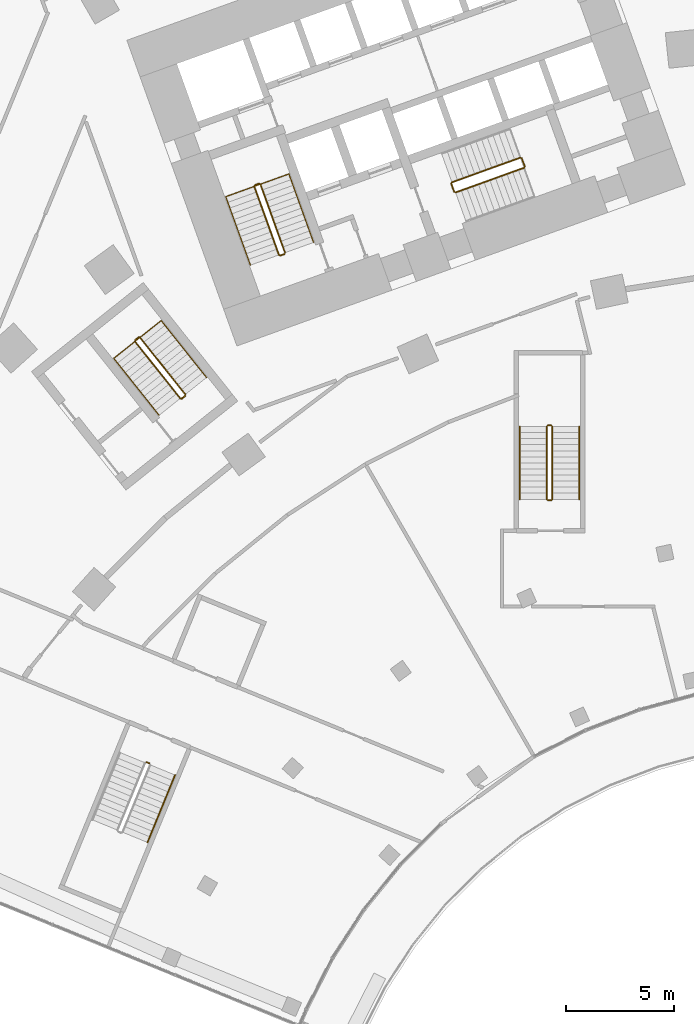
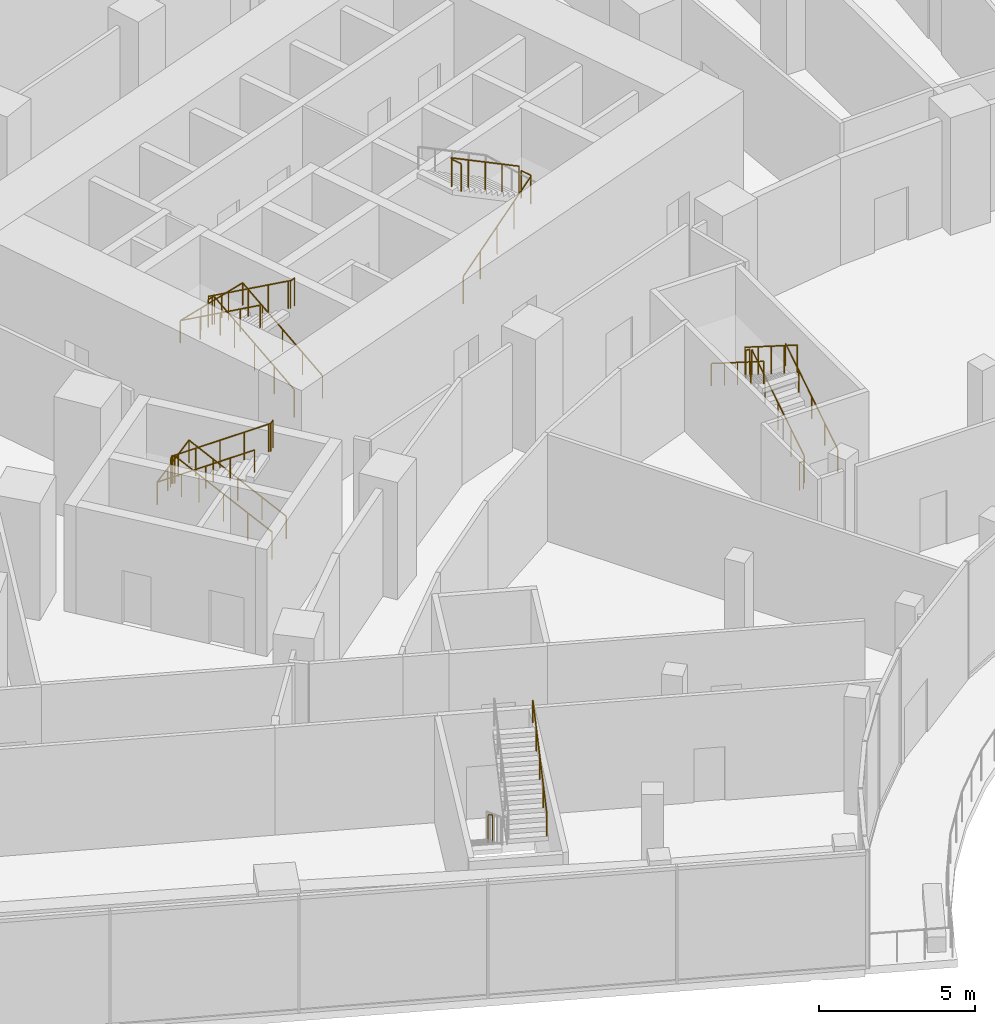
# One storey, part 33 of 39: 16 railings.
"""IFC4 building model written with IfcOpenShell, lengths in metres."""

from ifc_helpers import new_model, si_unit, direction, frame, origin, origin_2d, place, context, subcontext, project, spatial, circle, extrude, material, type_object, element, save


model = new_model("IFC4")

# Units and contexts
model_context = context("Model", 3, precision=1e-05, world=origin(), true_north=direction((0.0, 1.0)))
body_context = subcontext(model_context, "Body", "Model", "MODEL_VIEW")
ifc_project = project(units=[si_unit("LENGTHUNIT", "METRE"), si_unit("AREAUNIT", "SQUARE_METRE"), si_unit("VOLUMEUNIT", "CUBIC_METRE"), si_unit("PLANEANGLEUNIT", "RADIAN"), si_unit("MASSUNIT", "GRAM", prefix="KILO")], contexts=[model_context])

# Site, building, storey
site_placement = place(None, origin())
site = spatial("IfcSite", under=ifc_project, at=site_placement, CompositionType="ELEMENT")
building_placement = place(site_placement, origin())
building = spatial("IfcBuilding", under=site, at=building_placement, Name="Stone Belt Terrace Tower", CompositionType="ELEMENT")
storey_placement = place(building_placement, frame((0.0, 0.0, 16.199951171875)))
storey = spatial("IfcBuildingStorey", under=building, at=storey_placement, Name="L03", CompositionType="ELEMENT", Elevation=16.199951171875)

# Railings
ifc_material_1 = material(Name="Steel balustrade", Category="steel")
railing_type_1 = type_object("IfcRailingType", Name="Podium stair guard", PredefinedType="GUARDRAIL", material=ifc_material_1)
railing_1_placement = place(storey_placement, frame((-30.611572265625, 21.75439453125, 0.0)))
element("IfcRailing", 1, at=railing_1_placement, inside=storey, type_object=railing_type_1, Name="L03 PS1 stair guard 4", PredefinedType="GUARDRAIL", context=body_context, shape_type="SweptSolid", body=[
    extrude(circle(Radius=0.02392578125, at=origin_2d()), frame((0.0, 0.0, 1.076171875), z_axis=(0.925183283695, -0.379520607572, 0.0), x_axis=(0.379520607572, 0.925183283695, 0.0)), (0.0, 0.0, 1.0), 0.14990234375),
    extrude(circle(Radius=0.02099609375, at=origin_2d()), origin(), (0.0, 0.0, 1.0), 1.052001953125),
    extrude(circle(Radius=0.02099609375, at=origin_2d()), frame((0.138671875, -0.056884765625, 0.0)), (0.0, 0.0, 1.0), 1.052001953125),
])
railing_2_placement = place(storey_placement, frame((-11.875, 33.889892578125, 0.177001953125)))
element("IfcRailing", 2, at=railing_2_placement, inside=storey, type_object=railing_type_1, Name="L03 PS5 stair guard 1", PredefinedType="GUARDRAIL", context=body_context, shape_type="SweptSolid", body=[
    extrude(circle(Radius=0.02392578125, at=origin_2d()), frame((0.0, 0.0, 1.076171875), z_axis=(0.0, 0.845389635667, 0.534150132366), x_axis=(-1.0, 0.0, 0.0)), (0.0, 0.0, 1.0), 3.974609375),
    extrude(circle(Radius=0.02099609375, at=origin_2d()), origin(), (0.0, 0.0, 1.0), 1.052001953125),
    extrude(circle(Radius=0.02099609375, at=origin_2d()), frame((0.0, 0.840087890625, 0.53076171875)), (0.0, 0.0, 1.0), 1.052001953125),
    extrude(circle(Radius=0.02099609375, at=origin_2d()), frame((0.0, 1.68017578125, 1.0615234375)), (0.0, 0.0, 1.0), 1.052001953125),
    extrude(circle(Radius=0.02099609375, at=origin_2d()), frame((0.0, 2.52001953125, 1.59228515625)), (0.0, 0.0, 1.0), 1.052001953125),
    extrude(circle(Radius=0.02099609375, at=origin_2d()), frame((0.0, 3.360107421875, 2.123046875)), (0.0, 0.0, 1.0), 1.052001953125),
])
railing_3_placement = place(storey_placement, frame((-11.925048828125, 37.300048828125, 2.300048828125)))
element("IfcRailing", 3, at=railing_3_placement, inside=storey, type_object=railing_type_1, Name="L03 PS5 stair guard 2", PredefinedType="GUARDRAIL", context=body_context, shape_type="SweptSolid", body=[
    extrude(circle(Radius=0.02392578125, at=origin_2d()), frame((0.0, 0.0, 1.076171875), z_axis=(-1.0, 0.0, 0.0), x_axis=(0.0, -1.0, 0.0)), (0.0, 0.0, 1.0), 0.14990234375),
    extrude(circle(Radius=0.02099609375, at=origin_2d()), origin(), (0.0, 0.0, 1.0), 1.052001953125),
    extrude(circle(Radius=0.02099609375, at=origin_2d()), frame((-0.14990234375, 0.0, 0.0)), (0.0, 0.0, 1.0), 1.052001953125),
])
railing_4_placement = place(storey_placement, frame((-12.125, 37.25, 2.47705078125)))
element("IfcRailing", 4, at=railing_4_placement, inside=storey, type_object=railing_type_1, Name="L03 PS5 stair guard 3", PredefinedType="GUARDRAIL", context=body_context, shape_type="SweptSolid", body=[
    extrude(circle(Radius=0.02392578125, at=origin_2d()), frame((0.0, 0.0, 1.076171875), z_axis=(0.0, -0.845389635667, 0.534150132366), x_axis=(1.0, 0.0, 0.0)), (0.0, 0.0, 1.0), 3.974609375),
    extrude(circle(Radius=0.02099609375, at=origin_2d()), origin(), (0.0, 0.0, 1.0), 1.052001953125),
    extrude(circle(Radius=0.02099609375, at=origin_2d()), frame((0.0, -0.840087890625, 0.53076171875)), (0.0, 0.0, 1.0), 1.052001953125),
    extrude(circle(Radius=0.02099609375, at=origin_2d()), frame((0.0, -1.68017578125, 1.0615234375)), (0.0, 0.0, 1.0), 1.052001953125),
    extrude(circle(Radius=0.02099609375, at=origin_2d()), frame((0.0, -2.52001953125, 1.59228515625)), (0.0, 0.0, 1.0), 1.052001953125),
    extrude(circle(Radius=0.02099609375, at=origin_2d()), frame((0.0, -3.360107421875, 2.123046875)), (0.0, 0.0, 1.0), 1.052001953125),
])
railing_5_placement = place(storey_placement, frame((-11.925048828125, 33.840087890625, 0.0)))
element("IfcRailing", 5, at=railing_5_placement, inside=storey, type_object=railing_type_1, Name="L03 PS5 stair guard 4", PredefinedType="GUARDRAIL", context=body_context, shape_type="SweptSolid", body=[
    extrude(circle(Radius=0.02392578125, at=origin_2d()), frame((0.0, 0.0, 1.076171875), z_axis=(-1.0, 0.0, 0.0), x_axis=(0.0, -1.0, 0.0)), (0.0, 0.0, 1.0), 0.14990234375),
    extrude(circle(Radius=0.02099609375, at=origin_2d()), origin(), (0.0, 0.0, 1.0), 1.052001953125),
    extrude(circle(Radius=0.02099609375, at=origin_2d()), frame((-0.14990234375, 0.0, 0.0)), (0.0, 0.0, 1.0), 1.052001953125),
])
ifc_material_2 = material(Name="Stainless steel handrail", Category="steel")
railing_type_2 = type_object("IfcRailingType", Name="Podium stair handrail", PredefinedType="HANDRAIL", material=ifc_material_2)
railing_6_placement = place(storey_placement, frame((-30.563232421875, 18.049072265625, 2.47705078125)))
element("IfcRailing", 6, at=railing_6_placement, inside=storey, type_object=railing_type_2, Name="L03 PS1 stair handrail 2", PredefinedType="HANDRAIL", context=body_context, shape_type="SweptSolid", body=[
    extrude(circle(Radius=0.02392578125, at=origin_2d()), frame((0.0, 0.0, 0.8759765625), z_axis=(0.320632384185, 0.78223245452, 0.534141611661), x_axis=(-0.925286329636, 0.379269308261, 0.0)), (0.0, 0.0, 1.0), 3.974609375),
    extrude(circle(Radius=0.02099609375, at=origin_2d()), origin(), (0.0, 0.0, 1.0), 0.851806640625),
    extrude(circle(Radius=0.02099609375, at=origin_2d()), frame((0.318603515625, 0.77734375, 0.53076171875)), (0.0, 0.0, 1.0), 0.851806640625),
    extrude(circle(Radius=0.02099609375, at=origin_2d()), frame((0.63720703125, 1.5546875, 1.0615234375)), (0.0, 0.0, 1.0), 0.851806640625),
    extrude(circle(Radius=0.02099609375, at=origin_2d()), frame((0.955810546875, 2.331787109375, 1.59228515625)), (0.0, 0.0, 1.0), 0.851806640625),
    extrude(circle(Radius=0.02099609375, at=origin_2d()), frame((1.2744140625, 3.109130859375, 2.123046875)), (0.0, 0.0, 1.0), 0.851806640625),
])
railing_7_placement = place(storey_placement, frame((-10.625, 33.889892578125, 0.177001953125)))
element("IfcRailing", 7, at=railing_7_placement, inside=storey, type_object=railing_type_2, Name="L03 PS5 stair handrail 1", PredefinedType="HANDRAIL", context=body_context, shape_type="SweptSolid", body=[
    extrude(circle(Radius=0.02392578125, at=origin_2d()), frame((0.0, 0.0, 0.8759765625), z_axis=(0.0, 0.845389635667, 0.534150132366), x_axis=(-1.0, 0.0, 0.0)), (0.0, 0.0, 1.0), 3.974609375),
    extrude(circle(Radius=0.02099609375, at=origin_2d()), origin(), (0.0, 0.0, 1.0), 0.851806640625),
    extrude(circle(Radius=0.02099609375, at=origin_2d()), frame((0.0, 0.840087890625, 0.53076171875)), (0.0, 0.0, 1.0), 0.851806640625),
    extrude(circle(Radius=0.02099609375, at=origin_2d()), frame((0.0, 1.68017578125, 1.0615234375)), (0.0, 0.0, 1.0), 0.851806640625),
    extrude(circle(Radius=0.02099609375, at=origin_2d()), frame((0.0, 2.52001953125, 1.59228515625)), (0.0, 0.0, 1.0), 0.851806640625),
    extrude(circle(Radius=0.02099609375, at=origin_2d()), frame((0.0, 3.360107421875, 2.123046875)), (0.0, 0.0, 1.0), 0.851806640625),
])
railing_8_placement = place(storey_placement, frame((-13.375, 37.25, 2.47705078125)))
element("IfcRailing", 8, at=railing_8_placement, inside=storey, type_object=railing_type_2, Name="L03 PS5 stair handrail 2", PredefinedType="HANDRAIL", context=body_context, shape_type="SweptSolid", body=[
    extrude(circle(Radius=0.02392578125, at=origin_2d()), frame((0.0, 0.0, 0.8759765625), z_axis=(0.0, -0.845389635667, 0.534150132366), x_axis=(1.0, 0.0, 0.0)), (0.0, 0.0, 1.0), 3.974609375),
    extrude(circle(Radius=0.02099609375, at=origin_2d()), origin(), (0.0, 0.0, 1.0), 0.851806640625),
    extrude(circle(Radius=0.02099609375, at=origin_2d()), frame((0.0, -0.840087890625, 0.53076171875)), (0.0, 0.0, 1.0), 0.851806640625),
    extrude(circle(Radius=0.02099609375, at=origin_2d()), frame((0.0, -1.68017578125, 1.0615234375)), (0.0, 0.0, 1.0), 0.851806640625),
    extrude(circle(Radius=0.02099609375, at=origin_2d()), frame((0.0, -2.52001953125, 1.59228515625)), (0.0, 0.0, 1.0), 0.851806640625),
    extrude(circle(Radius=0.02099609375, at=origin_2d()), frame((0.0, -3.360107421875, 2.123046875)), (0.0, 0.0, 1.0), 0.851806640625),
])
ifc_material_3 = material(Name="Structural steel C345", Category="steel")
railing_type_3 = type_object("IfcRailingType", Name="Stair guard 1100", PredefinedType="GUARDRAIL", material=ifc_material_3)
railing_9_placement = place(storey_placement, frame((-24.2119140625, 45.276123046875, 0.177001953125)))
element("IfcRailing", 9, at=railing_9_placement, inside=storey, type_object=railing_type_3, Name="L03 ST1A stair guard 1", PredefinedType="GUARDRAIL", context=body_context, shape_type="SweptSolid", body=[
    extrude(circle(Radius=0.02392578125, at=origin_2d()), frame((0.0, 0.0, 1.076171875), z_axis=(-0.286311103083, 0.795417823175, 0.534168923494), x_axis=(-0.940902231577, -0.338678299589, 0.0)), (0.0, 0.0, 1.0), 3.974365234375),
    extrude(circle(Radius=0.02392578125, at=origin_2d()), frame((-1.137939453125, 3.161376953125, 3.19921875), z_axis=(-0.903878284585, 0.427789722475, 0.0), x_axis=(-0.427789722475, -0.903878284585, 0.0)), (0.0, 0.0, 1.0), 0.07080078125),
    extrude(circle(Radius=0.02392578125, at=origin_2d()), frame((-1.201904296875, 3.191650390625, 3.19921875), z_axis=(-0.940575576748, -0.339584429008, 0.0), x_axis=(0.339584429008, -0.940575576748, 0.0)), (0.0, 0.0, 1.0), 0.199951171875),
    extrude(circle(Radius=0.02099609375, at=origin_2d()), origin(), (0.0, 0.0, 1.0), 1.052001953125),
    extrude(circle(Radius=0.02099609375, at=origin_2d()), frame((-0.284423828125, 0.790283203125, 0.53076171875)), (0.0, 0.0, 1.0), 1.052001953125),
    extrude(circle(Radius=0.02099609375, at=origin_2d()), frame((-0.56884765625, 1.58056640625, 1.0615234375)), (0.0, 0.0, 1.0), 1.052001953125),
    extrude(circle(Radius=0.02099609375, at=origin_2d()), frame((-0.853515625, 2.37109375, 1.59228515625)), (0.0, 0.0, 1.0), 1.052001953125),
    extrude(circle(Radius=0.02099609375, at=origin_2d()), frame((-1.137939453125, 3.161376953125, 2.123046875)), (0.0, 0.0, 1.0), 1.052001953125),
    extrude(circle(Radius=0.02099609375, at=origin_2d()), frame((-1.201904296875, 3.191650390625, 2.123046875)), (0.0, 0.0, 1.0), 1.052001953125),
    extrude(circle(Radius=0.02099609375, at=origin_2d()), frame((-1.389892578125, 3.123779296875, 2.123046875)), (0.0, 0.0, 1.0), 1.052001953125),
])
railing_10_placement = place(storey_placement, frame((-25.632080078125, 48.3359375, 2.47705078125)))
element("IfcRailing", 10, at=railing_10_placement, inside=storey, type_object=railing_type_3, Name="L03 ST1A stair guard 2", PredefinedType="GUARDRAIL", context=body_context, shape_type="SweptSolid", body=[
    extrude(circle(Radius=0.02392578125, at=origin_2d()), frame((0.0, 0.0, 1.076171875), z_axis=(0.286311103083, -0.795417823175, 0.534168923494), x_axis=(0.940902231577, 0.338678299589, 0.0)), (0.0, 0.0, 1.0), 3.974365234375),
    extrude(circle(Radius=0.02392578125, at=origin_2d()), frame((1.137939453125, -3.161376953125, 3.19921875), z_axis=(0.903878284585, -0.427789722475, 0.0), x_axis=(0.427789722475, 0.903878284585, 0.0)), (0.0, 0.0, 1.0), 0.07080078125),
    extrude(circle(Radius=0.02392578125, at=origin_2d()), frame((1.201904296875, -3.191650390625, 3.19921875), z_axis=(0.940575576748, 0.339584429008, 0.0), x_axis=(-0.339584429008, 0.940575576748, 0.0)), (0.0, 0.0, 1.0), 0.199951171875),
    extrude(circle(Radius=0.02099609375, at=origin_2d()), origin(), (0.0, 0.0, 1.0), 1.052001953125),
    extrude(circle(Radius=0.02099609375, at=origin_2d()), frame((0.284423828125, -0.790283203125, 0.53076171875)), (0.0, 0.0, 1.0), 1.052001953125),
    extrude(circle(Radius=0.02099609375, at=origin_2d()), frame((0.56884765625, -1.58056640625, 1.0615234375)), (0.0, 0.0, 1.0), 1.052001953125),
    extrude(circle(Radius=0.02099609375, at=origin_2d()), frame((0.853515625, -2.37109375, 1.59228515625)), (0.0, 0.0, 1.0), 1.052001953125),
    extrude(circle(Radius=0.02099609375, at=origin_2d()), frame((1.137939453125, -3.161376953125, 2.123046875)), (0.0, 0.0, 1.0), 1.052001953125),
    extrude(circle(Radius=0.02099609375, at=origin_2d()), frame((1.201904296875, -3.191650390625, 2.123046875)), (0.0, 0.0, 1.0), 1.052001953125),
    extrude(circle(Radius=0.02099609375, at=origin_2d()), frame((1.389892578125, -3.123779296875, 2.123046875)), (0.0, 0.0, 1.0), 1.052001953125),
])
railing_11_placement = place(storey_placement, frame((-16.33837890625, 48.056640625, 0.177001953125)))
element("IfcRailing", 11, at=railing_11_placement, inside=storey, type_object=railing_type_3, Name="L03 ST2A stair guard 1", PredefinedType="GUARDRAIL", context=body_context, shape_type="SweptSolid", body=[
    extrude(circle(Radius=0.02392578125, at=origin_2d()), frame((0.0, 0.0, 1.076171875), z_axis=(0.79545437138, 0.286240723601, 0.53415221726), x_axis=(-0.338590819614, 0.940933715451, 0.0)), (0.0, 0.0, 1.0), 3.974609375),
    extrude(circle(Radius=0.02392578125, at=origin_2d()), frame((3.16162109375, 1.1376953125, 3.19921875), z_axis=(0.424964916, 0.905209821074, 0.0), x_axis=(-0.905209821074, 0.424964916, 0.0)), (0.0, 0.0, 1.0), 0.070556640625),
    extrude(circle(Radius=0.02392578125, at=origin_2d()), frame((3.191650390625, 1.20166015625, 3.19921875), z_axis=(-0.338654645739, 0.940910745459, 0.0), x_axis=(-0.940910745459, -0.338654645739, 0.0)), (0.0, 0.0, 1.0), 0.400146484375),
    extrude(circle(Radius=0.02099609375, at=origin_2d()), origin(), (0.0, 0.0, 1.0), 1.052001953125),
    extrude(circle(Radius=0.02099609375, at=origin_2d()), frame((0.79052734375, 0.284423828125, 0.53076171875)), (0.0, 0.0, 1.0), 1.052001953125),
    extrude(circle(Radius=0.02099609375, at=origin_2d()), frame((1.580810546875, 0.56884765625, 1.0615234375)), (0.0, 0.0, 1.0), 1.052001953125),
    extrude(circle(Radius=0.02099609375, at=origin_2d()), frame((2.37109375, 0.853271484375, 1.59228515625)), (0.0, 0.0, 1.0), 1.052001953125),
    extrude(circle(Radius=0.02099609375, at=origin_2d()), frame((3.16162109375, 1.1376953125, 2.123046875)), (0.0, 0.0, 1.0), 1.052001953125),
    extrude(circle(Radius=0.02099609375, at=origin_2d()), frame((3.191650390625, 1.20166015625, 2.123046875)), (0.0, 0.0, 1.0), 1.052001953125),
    extrude(circle(Radius=0.02099609375, at=origin_2d()), frame((3.05615234375, 1.578125, 2.123046875)), (0.0, 0.0, 1.0), 1.052001953125),
])
railing_12_placement = place(storey_placement, frame((-13.34619140625, 49.664794921875, 2.47705078125)))
element("IfcRailing", 12, at=railing_12_placement, inside=storey, type_object=railing_type_3, Name="L03 ST2A stair guard 2", PredefinedType="GUARDRAIL", context=body_context, shape_type="SweptSolid", body=[
    extrude(circle(Radius=0.02392578125, at=origin_2d()), frame((0.0, 0.0, 1.076171875), z_axis=(-0.795431811234, -0.286254710043, 0.534178317283), x_axis=(0.338613969627, -0.9409253847, 0.0)), (0.0, 0.0, 1.0), 3.974365234375),
    extrude(circle(Radius=0.02392578125, at=origin_2d()), frame((-3.161376953125, -1.1376953125, 3.19921875), z_axis=(-0.427789722475, -0.903878284585, 0.0), x_axis=(0.903878284585, -0.427789722475, 0.0)), (0.0, 0.0, 1.0), 0.07080078125),
    extrude(circle(Radius=0.02392578125, at=origin_2d()), frame((-3.191650390625, -1.20166015625, 3.19921875), z_axis=(0.338654645739, -0.940910745459, 0.0), x_axis=(0.940910745459, 0.338654645739, 0.0)), (0.0, 0.0, 1.0), 0.400146484375),
    extrude(circle(Radius=0.02099609375, at=origin_2d()), origin(), (0.0, 0.0, 1.0), 1.052001953125),
    extrude(circle(Radius=0.02099609375, at=origin_2d()), frame((-0.790283203125, -0.284423828125, 0.53076171875)), (0.0, 0.0, 1.0), 1.052001953125),
    extrude(circle(Radius=0.02099609375, at=origin_2d()), frame((-1.58056640625, -0.56884765625, 1.0615234375)), (0.0, 0.0, 1.0), 1.052001953125),
    extrude(circle(Radius=0.02099609375, at=origin_2d()), frame((-2.37109375, -0.853271484375, 1.59228515625)), (0.0, 0.0, 1.0), 1.052001953125),
    extrude(circle(Radius=0.02099609375, at=origin_2d()), frame((-3.161376953125, -1.1376953125, 2.123046875)), (0.0, 0.0, 1.0), 1.052001953125),
    extrude(circle(Radius=0.02099609375, at=origin_2d()), frame((-3.191650390625, -1.20166015625, 2.123046875)), (0.0, 0.0, 1.0), 1.052001953125),
    extrude(circle(Radius=0.02099609375, at=origin_2d()), frame((-3.05615234375, -1.578125, 2.123046875)), (0.0, 0.0, 1.0), 1.052001953125),
])
railing_13_placement = place(storey_placement, frame((-28.814208984375, 38.734619140625, 0.177001953125)))
element("IfcRailing", 13, at=railing_13_placement, inside=storey, type_object=railing_type_3, Name="L03 ST3A stair guard 1", PredefinedType="GUARDRAIL", context=body_context, shape_type="SweptSolid", body=[
    extrude(circle(Radius=0.02392578125, at=origin_2d()), frame((0.0, 0.0, 1.076171875), z_axis=(-0.526787798416, 0.661187483926, 0.534158896341), x_axis=(-0.782114881682, -0.623134264707, 0.0)), (0.0, 0.0, 1.0), 3.974609375),
    extrude(circle(Radius=0.02392578125, at=origin_2d()), frame((-2.09375, 2.6279296875, 3.19921875), z_axis=(-0.993883734674, 0.110431526075, 0.0), x_axis=(-0.110431526075, -0.993883734674, 0.0)), (0.0, 0.0, 1.0), 0.07080078125),
    extrude(circle(Radius=0.02392578125, at=origin_2d()), frame((-2.1640625, 2.6357421875, 3.19921875), z_axis=(-0.782059551443, -0.623203705056, 0.0), x_axis=(0.623203705056, -0.782059551443, 0.0)), (0.0, 0.0, 1.0), 0.19970703125),
    extrude(circle(Radius=0.02099609375, at=origin_2d()), origin(), (0.0, 0.0, 1.0), 1.052001953125),
    extrude(circle(Radius=0.02099609375, at=origin_2d()), frame((-0.5234375, 0.656982421875, 0.53076171875)), (0.0, 0.0, 1.0), 1.052001953125),
    extrude(circle(Radius=0.02099609375, at=origin_2d()), frame((-1.046875, 1.31396484375, 1.0615234375)), (0.0, 0.0, 1.0), 1.052001953125),
    extrude(circle(Radius=0.02099609375, at=origin_2d()), frame((-1.5703125, 1.970947265625, 1.59228515625)), (0.0, 0.0, 1.0), 1.052001953125),
    extrude(circle(Radius=0.02099609375, at=origin_2d()), frame((-2.09375, 2.6279296875, 2.123046875)), (0.0, 0.0, 1.0), 1.052001953125),
    extrude(circle(Radius=0.02099609375, at=origin_2d()), frame((-2.1640625, 2.6357421875, 2.123046875)), (0.0, 0.0, 1.0), 1.052001953125),
    extrude(circle(Radius=0.02099609375, at=origin_2d()), frame((-2.3203125, 2.51123046875, 2.123046875)), (0.0, 0.0, 1.0), 1.052001953125),
])
railing_14_placement = place(storey_placement, frame((-31.142578125, 41.175537109375, 2.47705078125)))
element("IfcRailing", 14, at=railing_14_placement, inside=storey, type_object=railing_type_3, Name="L03 ST3A stair guard 2", PredefinedType="GUARDRAIL", context=body_context, shape_type="SweptSolid", body=[
    extrude(circle(Radius=0.02392578125, at=origin_2d()), frame((0.0, 0.0, 1.076171875), z_axis=(0.526787798416, -0.661187483926, 0.534158896341), x_axis=(0.782114881682, 0.623134264707, 0.0)), (0.0, 0.0, 1.0), 3.974609375),
    extrude(circle(Radius=0.02392578125, at=origin_2d()), frame((2.09375, -2.6279296875, 3.19921875), z_axis=(0.993499272973, -0.113838458361, 0.0), x_axis=(0.113838458361, 0.993499272973, 0.0)), (0.0, 0.0, 1.0), 0.07080078125),
    extrude(circle(Radius=0.02392578125, at=origin_2d()), frame((2.1640625, -2.635986328125, 3.19921875), z_axis=(0.781464082609, 0.623950228458, 0.0), x_axis=(-0.623950228458, 0.781464082609, 0.0)), (0.0, 0.0, 1.0), 0.199951171875),
    extrude(circle(Radius=0.02099609375, at=origin_2d()), origin(), (0.0, 0.0, 1.0), 1.052001953125),
    extrude(circle(Radius=0.02099609375, at=origin_2d()), frame((0.5234375, -0.656982421875, 0.53076171875)), (0.0, 0.0, 1.0), 1.052001953125),
    extrude(circle(Radius=0.02099609375, at=origin_2d()), frame((1.046875, -1.31396484375, 1.0615234375)), (0.0, 0.0, 1.0), 1.052001953125),
    extrude(circle(Radius=0.02099609375, at=origin_2d()), frame((1.5703125, -1.970947265625, 1.59228515625)), (0.0, 0.0, 1.0), 1.052001953125),
    extrude(circle(Radius=0.02099609375, at=origin_2d()), frame((2.09375, -2.6279296875, 2.123046875)), (0.0, 0.0, 1.0), 1.052001953125),
    extrude(circle(Radius=0.02099609375, at=origin_2d()), frame((2.1640625, -2.635986328125, 2.123046875)), (0.0, 0.0, 1.0), 1.052001953125),
    extrude(circle(Radius=0.02099609375, at=origin_2d()), frame((2.3203125, -2.51123046875, 2.123046875)), (0.0, 0.0, 1.0), 1.052001953125),
])
railing_type_4 = type_object("IfcRailingType", Name="Stair handrail 900", PredefinedType="HANDRAIL", material=ifc_material_3)
railing_15_placement = place(storey_placement, frame((-22.894775390625, 45.750244140625, 0.177001953125)))
element("IfcRailing", 15, at=railing_15_placement, inside=storey, type_object=railing_type_4, Name="L03 ST1A stair handrail 1", PredefinedType="HANDRAIL", context=body_context, shape_type="SweptSolid", body=[
    extrude(circle(Radius=0.02392578125, at=origin_2d()), frame((0.0, 0.0, 0.8759765625), z_axis=(-0.286254710043, 0.795431811234, 0.534178317283), x_axis=(-0.9409253847, -0.338613969627, 0.0)), (0.0, 0.0, 1.0), 3.974365234375),
    extrude(circle(Radius=0.02392578125, at=origin_2d()), frame((-1.1376953125, 3.161376953125, 2.9990234375), z_axis=(-0.939380425775, -0.338104614617, 0.057006010604), x_axis=(0.338655323994, -0.940910501339, 0.0)), (0.0, 0.0, 1.0), 3.10498046875),
    extrude(circle(Radius=0.02392578125, at=origin_2d()), frame((-4.054443359375, 2.111572265625, 3.17578125), z_axis=(0.286254710043, -0.795431811234, 0.534178317283), x_axis=(0.9409253847, 0.338613969627, 0.0)), (0.0, 0.0, 1.0), 3.974365234375),
    extrude(circle(Radius=0.02099609375, at=origin_2d()), origin(), (0.0, 0.0, 1.0), 0.851806640625),
    extrude(circle(Radius=0.02099609375, at=origin_2d()), frame((-0.284423828125, 0.790283203125, 0.53076171875)), (0.0, 0.0, 1.0), 0.851806640625),
    extrude(circle(Radius=0.02099609375, at=origin_2d()), frame((-0.56884765625, 1.58056640625, 1.0615234375)), (0.0, 0.0, 1.0), 0.851806640625),
    extrude(circle(Radius=0.02099609375, at=origin_2d()), frame((-0.853271484375, 2.37109375, 1.59228515625)), (0.0, 0.0, 1.0), 0.851806640625),
    extrude(circle(Radius=0.02099609375, at=origin_2d()), frame((-1.1376953125, 3.161376953125, 2.123046875)), (0.0, 0.0, 1.0), 0.851806640625),
    extrude(circle(Radius=0.02099609375, at=origin_2d()), frame((-2.10986328125, 2.8115234375, 2.18212890625)), (0.0, 0.0, 1.0), 0.851806640625),
    extrude(circle(Radius=0.02099609375, at=origin_2d()), frame((-3.082275390625, 2.46142578125, 2.240966796875)), (0.0, 0.0, 1.0), 0.851806640625),
    extrude(circle(Radius=0.02099609375, at=origin_2d()), frame((-4.054443359375, 2.111572265625, 2.300048828125)), (0.0, 0.0, 1.0), 0.851806640625),
    extrude(circle(Radius=0.02099609375, at=origin_2d()), frame((-3.77001953125, 1.3212890625, 2.830810546875)), (0.0, 0.0, 1.0), 0.851806640625),
    extrude(circle(Radius=0.02099609375, at=origin_2d()), frame((-3.485595703125, 0.53076171875, 3.361572265625)), (0.0, 0.0, 1.0), 0.851806640625),
    extrude(circle(Radius=0.02099609375, at=origin_2d()), frame((-3.201171875, -0.259521484375, 3.892333984375)), (0.0, 0.0, 1.0), 0.851806640625),
    extrude(circle(Radius=0.02099609375, at=origin_2d()), frame((-2.916748046875, -1.0498046875, 4.423095703125)), (0.0, 0.0, 1.0), 0.851806640625),
])
railing_16_placement = place(storey_placement, frame((-27.836669921875, 39.513427734375, 0.177001953125)))
element("IfcRailing", 16, at=railing_16_placement, inside=storey, type_object=railing_type_4, Name="L03 ST3A stair handrail 1", PredefinedType="HANDRAIL", context=body_context, shape_type="SweptSolid", body=[
    extrude(circle(Radius=0.02392578125, at=origin_2d()), frame((0.0, 0.0, 0.8759765625), z_axis=(-0.52674341644, 0.661208878666, 0.534176180684), x_axis=(-0.782150293907, -0.623089815148, 0.0)), (0.0, 0.0, 1.0), 3.974365234375),
    extrude(circle(Radius=0.02392578125, at=origin_2d()), frame((-2.093505859375, 2.6279296875, 2.9990234375), z_axis=(-0.780585020538, -0.621857364188, 0.06309076253), x_axis=(0.623098705543, -0.782143211408, 0.0)), (0.0, 0.0, 1.0), 2.805419921875),
    extrude(circle(Radius=0.02392578125, at=origin_2d()), frame((-4.283447265625, 0.88330078125, 3.17578125), z_axis=(0.52674341644, -0.661208878666, 0.534176180684), x_axis=(0.782150293907, 0.623089815148, 0.0)), (0.0, 0.0, 1.0), 3.974365234375),
    extrude(circle(Radius=0.02099609375, at=origin_2d()), origin(), (0.0, 0.0, 1.0), 0.851806640625),
    extrude(circle(Radius=0.02099609375, at=origin_2d()), frame((-0.5234375, 0.656982421875, 0.53076171875)), (0.0, 0.0, 1.0), 0.851806640625),
    extrude(circle(Radius=0.02099609375, at=origin_2d()), frame((-1.046875, 1.31396484375, 1.0615234375)), (0.0, 0.0, 1.0), 0.851806640625),
    extrude(circle(Radius=0.02099609375, at=origin_2d()), frame((-1.570068359375, 1.970947265625, 1.59228515625)), (0.0, 0.0, 1.0), 0.851806640625),
    extrude(circle(Radius=0.02099609375, at=origin_2d()), frame((-2.093505859375, 2.6279296875, 2.123046875)), (0.0, 0.0, 1.0), 0.851806640625),
    extrude(circle(Radius=0.02099609375, at=origin_2d()), frame((-2.823486328125, 2.04638671875, 2.18212890625)), (0.0, 0.0, 1.0), 0.851806640625),
    extrude(circle(Radius=0.02099609375, at=origin_2d()), frame((-3.553466796875, 1.46484375, 2.240966796875)), (0.0, 0.0, 1.0), 0.851806640625),
    extrude(circle(Radius=0.02099609375, at=origin_2d()), frame((-4.283447265625, 0.88330078125, 2.300048828125)), (0.0, 0.0, 1.0), 0.851806640625),
    extrude(circle(Radius=0.02099609375, at=origin_2d()), frame((-3.760009765625, 0.226318359375, 2.830810546875)), (0.0, 0.0, 1.0), 0.851806640625),
    extrude(circle(Radius=0.02099609375, at=origin_2d()), frame((-3.23681640625, -0.4306640625, 3.361572265625)), (0.0, 0.0, 1.0), 0.851806640625),
    extrude(circle(Radius=0.02099609375, at=origin_2d()), frame((-2.71337890625, -1.087646484375, 3.892333984375)), (0.0, 0.0, 1.0), 0.851806640625),
    extrude(circle(Radius=0.02099609375, at=origin_2d()), frame((-2.18994140625, -1.74462890625, 4.423095703125)), (0.0, 0.0, 1.0), 0.851806640625),
])

save(model, "model.ifc")
